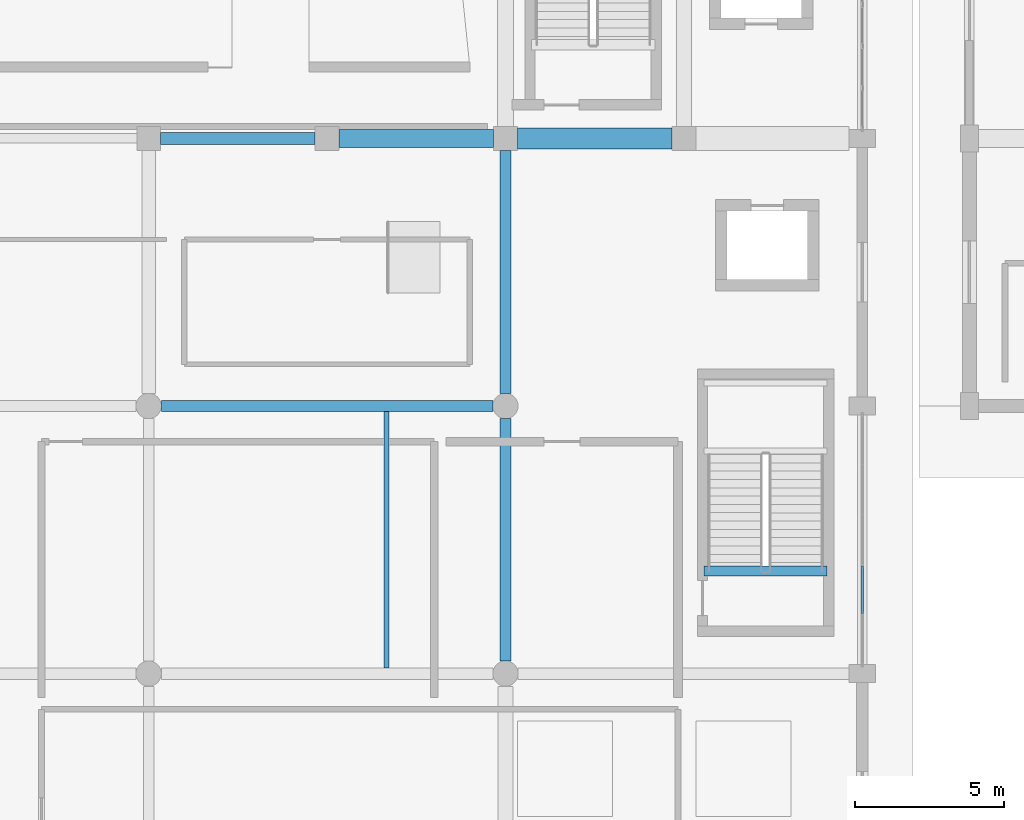
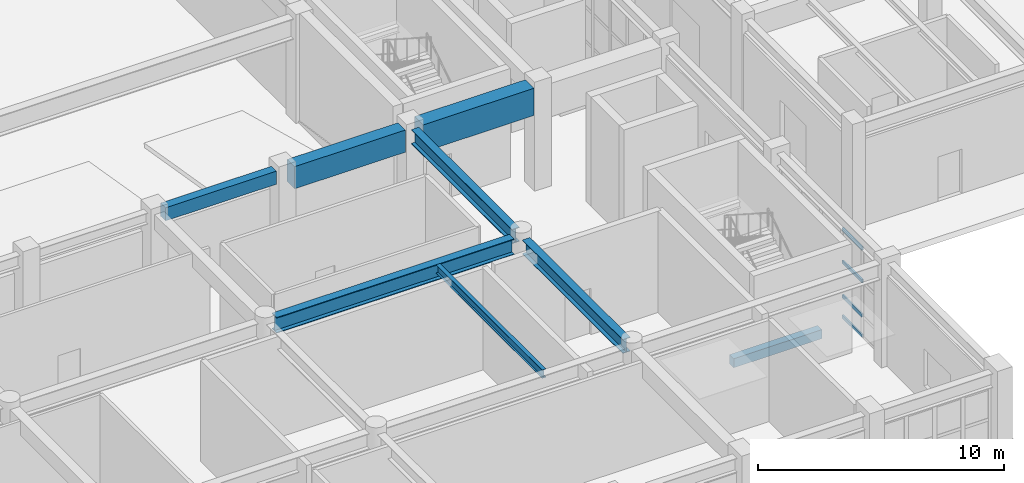
# One storey, part 21 of 91: 8 beams, 4 members, 1 element without a shape of its own.
"""IFC4 building model written with IfcOpenShell, lengths in metres."""

import ifcopenshell
import ifcopenshell.guid

model = None  # the IFC model being written
_history = None  # IfcOwnerHistory: only IFC2X3 demands one
_inside = {}  # id of a spatial element -> (the spatial element, [elements in it])
_under = {}  # id of a project, library or spatial element -> (it, [spatial elements below it])
_declared = {}  # id of a project -> (the project, [libraries it declares])
_typed = {}  # id of a type object -> (the type object, [elements of that type])
_made_of = {}  # id of a material, layer set ... -> (it, [elements and type objects made of it])


def new_model(schema):
    """Start an empty IFC model of exactly this schema.

    Asked for "IFC4X3", IfcOpenShell would pick the latest addendum, in which some entities
    have other attributes; the version numbers below select the first issue.
    IFC2X3 requires an IfcOwnerHistory on every rooted entity: one is made here for all.
    """
    global model, _history
    if schema == "IFC4X3":
        model = ifcopenshell.file(schema_version=(4, 3, 0, 0))
    else:
        model = ifcopenshell.file(schema=schema)
    _inside.clear()
    _under.clear()
    _declared.clear()
    _typed.clear()
    _made_of.clear()
    _history = None
    if model.schema == "IFC2X3":
        org = make("IfcOrganization", Name="unknown")
        user = make(
            "IfcPersonAndOrganization",
            ThePerson=make("IfcPerson", FamilyName="unknown"),
            TheOrganization=org,
        )
        app = make(
            "IfcApplication",
            ApplicationDeveloper=org,
            Version="unknown",
            ApplicationFullName="unknown",
            ApplicationIdentifier="unknown",
        )
        _history = make(
            "IfcOwnerHistory",
            OwningUser=user,
            OwningApplication=app,
            ChangeAction="ADDED",
            CreationDate=0,
        )
    return model


def make(cls, **values):
    """One entity of the class cls with the attributes given. An attribute that is None is left unset."""
    return model.create_entity(
        cls, **{name: value for name, value in values.items() if value is not None}
    )


def rooted(cls, **values):
    """An entity with a GlobalId (a new one), such as an element, a storey or a relation."""
    return make(cls, GlobalId=ifcopenshell.guid.new(), OwnerHistory=_history, **values)


def si_unit(unit_type, name, prefix=None):
    """IfcSIUnit, for example si_unit("LENGTHUNIT", "METRE", prefix="MILLI")."""
    return make("IfcSIUnit", UnitType=unit_type, Prefix=prefix, Name=name)


def assignment(units):
    """IfcUnitAssignment: the units of a project."""
    return None if units is None else make("IfcUnitAssignment", Units=units)


def point(xyz):
    """IfcCartesianPoint."""
    return None if xyz is None else make("IfcCartesianPoint", Coordinates=xyz)


def direction(xyz):
    """IfcDirection."""
    return None if xyz is None else make("IfcDirection", DirectionRatios=xyz)


def frame(location, z_axis=None, x_axis=None):
    """IfcAxis2Placement3D, a coordinate frame: its origin and axes. An axis left out is left unset."""
    return make(
        "IfcAxis2Placement3D",
        Location=point(location),
        Axis=direction(z_axis),
        RefDirection=direction(x_axis),
    )


def frame_2d(location, x_axis=None):
    """IfcAxis2Placement2D, a coordinate frame in the plane: its origin and x axis."""
    return make(
        "IfcAxis2Placement2D", Location=point(location), RefDirection=direction(x_axis)
    )


def origin():
    """The frame at (0, 0, 0) with its axes left unset."""
    return frame((0.0, 0.0, 0.0))


def origin_2d():
    """The frame at (0, 0) in the plane with its x axis left unset."""
    return frame_2d((0.0, 0.0))


def place(relative_to, where):
    """IfcLocalPlacement: puts the frame where relative to a parent placement (None: the world)."""
    return make(
        "IfcLocalPlacement", PlacementRelTo=relative_to, RelativePlacement=where
    )


def context(
    kind, dimensions, precision=None, world=None, true_north=None, identifier=None
):
    """IfcGeometricRepresentationContext, for example the 3D "Model" context."""
    return make(
        "IfcGeometricRepresentationContext",
        ContextIdentifier=identifier,
        ContextType=kind,
        CoordinateSpaceDimension=dimensions,
        Precision=precision,
        WorldCoordinateSystem=world,
        TrueNorth=true_north,
    )


def subcontext(parent, identifier, kind, view, scale=None):
    """IfcGeometricRepresentationSubContext, for example "Body" below "Model"."""
    return make(
        "IfcGeometricRepresentationSubContext",
        ContextIdentifier=identifier,
        ContextType=kind,
        ParentContext=parent,
        TargetScale=scale,
        TargetView=view,
    )


def project(units=None, contexts=None):
    """IfcProject with its units and contexts."""
    return rooted(
        "IfcProject",
        Name="project",
        RepresentationContexts=contexts,
        UnitsInContext=assignment(units),
    )


def spatial(cls, under=None, at=None, **own):
    """A site, building, storey or space (cls), placed at a placement, below another one or the project."""
    s = rooted(cls, ObjectPlacement=at, **own)
    if under is not None:
        _under.setdefault(under.id(), (under, []))[1].append(s)
    return s


def profile(cls, at=None, kind="AREA", **sizes):
    """A parametric profile (cls). Its sizes go by their IFC names, for example OverallWidth=200.0."""
    return make(cls, ProfileType=kind, Position=at, **sizes)


def rectangle(**sizes):
    """IfcRectangleProfileDef."""
    return profile("IfcRectangleProfileDef", **sizes)


def hollow_rectangle(**sizes):
    """IfcRectangleHollowProfileDef."""
    return profile("IfcRectangleHollowProfileDef", **sizes)


def i_section(**sizes):
    """IfcIShapeProfileDef."""
    return profile("IfcIShapeProfileDef", **sizes)


def extrude(swept, where, along, depth):
    """IfcExtrudedAreaSolid: the profile swept, set in the frame where, extruded along a direction by depth."""
    return make(
        "IfcExtrudedAreaSolid",
        SweptArea=swept,
        Position=where,
        ExtrudedDirection=direction(along),
        Depth=depth,
    )


def shape(context_of_items, identifier, shape_type, items):
    """IfcShapeRepresentation: the items that make up one representation, for example the "Body"."""
    return make(
        "IfcShapeRepresentation",
        ContextOfItems=context_of_items,
        RepresentationIdentifier=identifier,
        RepresentationType=shape_type,
        Items=items,
    )


def material(Name=None, Category=None):
    """IfcMaterial."""
    return make("IfcMaterial", Name=Name, Category=Category)


def layer(
    of_material, thickness, ventilated=None, Name=None, Category=None, Priority=None
):
    """IfcMaterialLayer: one layer of a wall or slab, of a material (None: an air gap)."""
    return make(
        "IfcMaterialLayer",
        Material=of_material,
        LayerThickness=thickness,
        IsVentilated=ventilated,
        Name=Name,
        Category=Category,
        Priority=Priority,
    )


def layer_set(layers, Name=None):
    """IfcMaterialLayerSet."""
    return make("IfcMaterialLayerSet", MaterialLayers=layers, LayerSetName=Name)


def material_profile(
    of_material, cross_section, Name=None, Category=None, Priority=None
):
    """IfcMaterialProfile: a cross section and its material."""
    return make(
        "IfcMaterialProfile",
        Name=Name,
        Material=of_material,
        Profile=cross_section,
        Priority=Priority,
        Category=Category,
    )


def profile_set(profiles, Name=None, composite=None):
    """IfcMaterialProfileSet."""
    return make(
        "IfcMaterialProfileSet",
        Name=Name,
        MaterialProfiles=profiles,
        CompositeProfile=composite,
    )


def made_of(thing, what):
    """Note that an element or type object is made of a material, layer set ...; save() writes the relation."""
    if what is not None:
        _made_of.setdefault(what.id(), (what, []))[1].append(thing)
    return thing


def type_object(cls, material=None, **own):
    """A type object (cls), such as IfcWallType, which elements share."""
    return made_of(rooted(cls, **own), material)


def element(
    cls,
    number,
    at=None,
    inside=None,
    cuts=None,
    type_object=None,
    material=None,
    context=None,
    identifier="Body",
    shape_type=None,
    held_by="IfcProductDefinitionShape",
    body=None,
    shapes=None,
    **own,
):
    """One element of the class cls, such as IfcWall. Its Tag is "e" and its number.

    at: its placement. inside: the storey or other place that contains it. cuts: it is an
    opening in that element (IfcRelVoidsElement). A single representation is given by context,
    identifier, shape_type and body (its items); several are given by shapes. held_by: the class
    of the entity that holds the representations. save() writes the other relations.
    """
    e = rooted(cls, Tag="e%d" % number, ObjectPlacement=at, **own)
    if body is not None:
        shapes = [shape(context, identifier, shape_type, body)]
    if shapes is not None:
        e.Representation = make(held_by, Representations=shapes)
    if inside is not None:
        _inside.setdefault(inside.id(), (inside, []))[1].append(e)
    if cuts is not None:
        rooted(
            "IfcRelVoidsElement", RelatingBuildingElement=cuts, RelatedOpeningElement=e
        )
    if type_object is not None:
        _typed.setdefault(type_object.id(), (type_object, []))[1].append(e)
    return made_of(e, material)


def aggregate(whole, parts):
    """IfcRelAggregates: a whole, such as a stair, and the parts it consists of."""
    return rooted("IfcRelAggregates", RelatingObject=whole, RelatedObjects=parts)


def save(model, path):
    """Write the relations noted so far, then the file.

    IfcRelAggregates (storeys below a building ...), IfcRelContainedInSpatialStructure (elements
    in a storey), IfcRelDefinesByType, IfcRelAssociatesMaterial and IfcRelDeclares: one each for
    every whole, place, type object, material and project.
    """
    for whole, parts in _under.values():
        aggregate(whole, parts)
    for where, things in _inside.values():
        rooted(
            "IfcRelContainedInSpatialStructure",
            RelatedElements=things,
            RelatingStructure=where,
        )
    for kind, things in _typed.values():
        rooted("IfcRelDefinesByType", RelatedObjects=things, RelatingType=kind)
    for what, things in _made_of.values():
        rooted("IfcRelAssociatesMaterial", RelatedObjects=things, RelatingMaterial=what)
    for by, libraries in _declared.values():
        rooted("IfcRelDeclares", RelatingContext=by, RelatedDefinitions=libraries)
    model.write(path)


model = new_model("IFC4")

# Units and contexts
model_context = context("Model", 3, precision=1e-05, world=origin(), true_north=direction((0.0, 1.0)))
body_context = subcontext(model_context, "Body", "Model", "MODEL_VIEW")
ifc_project = project(units=[si_unit("LENGTHUNIT", "METRE"), si_unit("AREAUNIT", "SQUARE_METRE"), si_unit("VOLUMEUNIT", "CUBIC_METRE"), si_unit("PLANEANGLEUNIT", "RADIAN"), si_unit("MASSUNIT", "GRAM", prefix="KILO")], contexts=[model_context])

# Site, building, storey
site_placement = place(None, origin())
site = spatial("IfcSite", under=ifc_project, at=site_placement, CompositionType="ELEMENT")
building_placement = place(site_placement, origin())
building = spatial("IfcBuilding", under=site, at=building_placement, Name="Vaelkrest Opera House", CompositionType="ELEMENT")
storey_placement = place(building_placement, origin())
storey = spatial("IfcBuildingStorey", under=building, at=storey_placement, Name="L00", CompositionType="ELEMENT", Elevation=0.0)

# Beams
ifc_material_1 = material(Name="Concrete C50/60", Category="concrete")
ifc_material_profile_1 = material_profile(ifc_material_1, rectangle(XDim=0.39990234375, YDim=0.64990234375, at=origin_2d()), Name="RCB400X650")
ifc_profile_set_1 = profile_set([ifc_material_profile_1], Name="Concrete C50/60")
beam_type_1 = type_object("IfcBeamType", Name="B01", PredefinedType="BEAM", material=ifc_profile_set_1)
beam_1_placement = place(storey_placement, frame((6.39990234375, -28.800048828125, 4.7548828125), z_axis=(1.0, 0.0, 0.0), x_axis=(0.0, 1.0, 0.0)))
element("IfcBeam", 1, at=beam_1_placement, inside=storey, type_object=beam_type_1, Name="Beam BM-V1-L00-0109", PredefinedType="BEAM", context=body_context, shape_type="SweptSolid", body=[
    extrude(rectangle(XDim=0.39990234375, YDim=0.64990234375, at=origin_2d()), origin(), (0.0, 0.0, 1.0), 5.2001953125),
])
ifc_material_profile_2 = material_profile(ifc_material_1, rectangle(XDim=0.60009765625, YDim=1.10009765625, at=origin_2d()), Name="RCB600X1100")
ifc_profile_set_2 = profile_set([ifc_material_profile_2], Name="Concrete C50/60")
beam_type_2 = type_object("IfcBeamType", Name="B05", PredefinedType="BEAM", material=ifc_profile_set_2)
beam_2_placement = place(storey_placement, frame((12.39990234375, -28.800048828125, 4.530029296875), z_axis=(1.0, 0.0, 0.0), x_axis=(0.0, 1.0, 0.0)))
element("IfcBeam", 2, at=beam_2_placement, inside=storey, type_object=beam_type_2, Name="Beam BM-V1-L00-0110", PredefinedType="BEAM", context=body_context, shape_type="SweptSolid", body=[
    extrude(rectangle(XDim=0.60009765625, YDim=1.10009765625, at=origin_2d()), origin(), (0.0, 0.0, 1.0), 5.2001953125),
])
ifc_material_profile_3 = material_profile(ifc_material_1, rectangle(XDim=0.699951171875, YDim=1.35009765625, at=origin_2d()), Name="RCB700X1350")
ifc_profile_set_3 = profile_set([ifc_material_profile_3], Name="Concrete C50/60")
beam_type_3 = type_object("IfcBeamType", Name="B06", PredefinedType="BEAM", material=ifc_profile_set_3)
beam_3_placement = place(storey_placement, frame((18.39990234375, -28.800048828125, 4.405029296875), z_axis=(1.0, 0.0, 0.0), x_axis=(0.0, 1.0, 0.0)))
element("IfcBeam", 3, at=beam_3_placement, inside=storey, type_object=beam_type_3, Name="Beam BM-V1-L00-0111", PredefinedType="BEAM", context=body_context, shape_type="SweptSolid", body=[
    extrude(rectangle(XDim=0.699951171875, YDim=1.35009765625, at=origin_2d()), origin(), (0.0, 0.0, 1.0), 5.2001953125),
])
ifc_material_2 = material(Name="Steel A992 Gr50", Category="steel")
ifc_material_profile_4 = material_profile(ifc_material_2, i_section(OverallWidth=0.35498046875, OverallDepth=0.695068359375, WebThickness=0.015380859375, FlangeThickness=0.02490234375, at=origin_2d()), Name="W27X146")
ifc_profile_set_4 = profile_set([ifc_material_profile_4], Name="Steel A992 Gr50")
beam_type_4 = type_object("IfcBeamType", Name="B10", PredefinedType="BEAM", material=ifc_profile_set_4)
beam_4_placement = place(storey_placement, frame((18.0, -46.375, 4.732421875), z_axis=(0.0, 1.0, 0.0), x_axis=(-1.0, 0.0, 0.0)))
element("IfcBeam", 4, at=beam_4_placement, inside=storey, type_object=beam_type_4, Name="Beam BM-V1-L00-0169", PredefinedType="BEAM", context=body_context, shape_type="SweptSolid", body=[
    extrude(i_section(OverallWidth=0.35498046875, OverallDepth=0.695068359375, WebThickness=0.015380859375, FlangeThickness=0.02490234375, at=origin_2d()), origin(), (0.0, 0.0, 1.0), 8.14990234375),
])
ifc_material_profile_5 = material_profile(ifc_material_2, i_section(OverallWidth=0.35791015625, OverallDepth=0.7060546875, WebThickness=0.018310546875, FlangeThickness=0.0302734375, at=origin_2d()), Name="W27X178")
ifc_profile_set_5 = profile_set([ifc_material_profile_5], Name="Steel A992 Gr50")
beam_type_5 = type_object("IfcBeamType", Name="B14", PredefinedType="BEAM", material=ifc_profile_set_5)
beam_5_placement = place(storey_placement, frame((18.0, -37.375, 4.72705078125), z_axis=(0.0, 1.0, 0.0), x_axis=(-1.0, 0.0, 0.0)))
element("IfcBeam", 5, at=beam_5_placement, inside=storey, type_object=beam_type_5, Name="Beam BM-V1-L00-0170", PredefinedType="BEAM", context=body_context, shape_type="SweptSolid", body=[
    extrude(i_section(OverallWidth=0.35791015625, OverallDepth=0.7060546875, WebThickness=0.018310546875, FlangeThickness=0.0302734375, at=origin_2d()), origin(), (0.0, 0.0, 1.0), 8.175048828125),
])
ifc_material_profile_6 = material_profile(ifc_material_2, i_section(OverallWidth=0.384033203125, OverallDepth=0.785888671875, WebThickness=0.019775390625, FlangeThickness=0.033447265625, at=origin_2d()), Name="W30X211")
ifc_profile_set_6 = profile_set([ifc_material_profile_6], Name="Steel A992 Gr50")
beam_type_6 = type_object("IfcBeamType", Name="B16", PredefinedType="BEAM", material=ifc_profile_set_6)
beam_6_placement = place(storey_placement, frame((6.425048828125, -37.800048828125, 4.68701171875), z_axis=(1.0, 0.0, 0.0), x_axis=(0.0, 1.0, 0.0)))
element("IfcBeam", 6, at=beam_6_placement, inside=storey, type_object=beam_type_6, Name="Beam BM-V1-L00-0102", PredefinedType="BEAM", context=body_context, shape_type="SweptSolid", body=[
    extrude(i_section(OverallWidth=0.384033203125, OverallDepth=0.785888671875, WebThickness=0.019775390625, FlangeThickness=0.033447265625, at=origin_2d()), origin(), (0.0, 0.0, 1.0), 11.14990234375),
])

# Curtain wall, members
ifc_material_3 = material(Name="Dark bronze anodized aluminium", Category="aluminium")
ifc_layer = layer(ifc_material_3, 0.199951171875)
ifc_layer_set = layer_set([ifc_layer], Name="Dark bronze anodized aluminium")
curtain_wall_type = type_object("IfcCurtainWallType", Name="CW03", PredefinedType="NOTDEFINED", material=ifc_layer_set)
curtain_wall_placement = place(storey_placement, origin())
curtain_wall = element("IfcCurtainWall", 7, at=curtain_wall_placement, inside=storey, type_object=curtain_wall_type, Name="Curtain wall CW-L00-019", PredefinedType="NOTDEFINED")
ifc_material_profile_7 = material_profile(ifc_material_3, hollow_rectangle(XDim=0.074951171875, YDim=0.159912109375, WallThickness=0.00439453125, at=origin_2d()), Name="CWT75X160")
ifc_profile_set_7 = profile_set([ifc_material_profile_7], Name="Dark bronze anodized aluminium")
member_type = type_object("IfcMemberType", Name="CWT03", PredefinedType="USERDEFINED", material=ifc_profile_set_7)
member_1_placement = place(storey_placement, frame((30.0, -43.177978515625, 0.03759765625), z_axis=(0.0, -1.0, 0.0), x_axis=(1.0, 0.0, 0.0)))
member_1 = element("IfcMember", 8, at=member_1_placement, type_object=member_type, Name="CW03 transom 4.1", ObjectType="TRANSOM", PredefinedType="USERDEFINED", context=body_context, shape_type="SweptSolid", body=[
    extrude(hollow_rectangle(XDim=0.074951171875, YDim=0.159912109375, WallThickness=0.00439453125, at=origin_2d()), origin(), (0.0, 0.0, 1.0), 1.605712890625),
])
member_2_placement = place(storey_placement, frame((30.0, -43.177978515625, 1.050048828125), z_axis=(0.0, -1.0, 0.0), x_axis=(1.0, 0.0, 0.0)))
member_2 = element("IfcMember", 9, at=member_2_placement, type_object=member_type, Name="CW03 transom 4.2", ObjectType="TRANSOM", PredefinedType="USERDEFINED", context=body_context, shape_type="SweptSolid", body=[
    extrude(hollow_rectangle(XDim=0.074951171875, YDim=0.159912109375, WallThickness=0.00439453125, at=origin_2d()), origin(), (0.0, 0.0, 1.0), 1.605712890625),
])
member_3_placement = place(storey_placement, frame((30.0, -43.177978515625, 2.75), z_axis=(0.0, -1.0, 0.0), x_axis=(1.0, 0.0, 0.0)))
member_3 = element("IfcMember", 10, at=member_3_placement, type_object=member_type, Name="CW03 transom 4.3", ObjectType="TRANSOM", PredefinedType="USERDEFINED", context=body_context, shape_type="SweptSolid", body=[
    extrude(hollow_rectangle(XDim=0.074951171875, YDim=0.159912109375, WallThickness=0.00439453125, at=origin_2d()), origin(), (0.0, 0.0, 1.0), 1.605712890625),
])
member_4_placement = place(storey_placement, frame((30.0, -43.177978515625, 4.366455078125), z_axis=(0.0, -1.0, 0.0), x_axis=(1.0, 0.0, 0.0)))
member_4 = element("IfcMember", 11, at=member_4_placement, type_object=member_type, Name="CW03 transom 4.4", ObjectType="TRANSOM", PredefinedType="USERDEFINED", context=body_context, shape_type="SweptSolid", body=[
    extrude(hollow_rectangle(XDim=0.074951171875, YDim=0.159912109375, WallThickness=0.00439453125, at=origin_2d()), origin(), (0.0, 0.0, 1.0), 1.605712890625),
])
aggregate(curtain_wall, [member_1, member_2, member_3, member_4])

# Beams
ifc_material_profile_8 = material_profile(ifc_material_2, i_section(OverallWidth=0.180908203125, OverallDepth=0.4169921875, WebThickness=0.010986328125, FlangeThickness=0.018310546875, at=origin_2d()), Name="W16X57")
ifc_profile_set_8 = profile_set([ifc_material_profile_8], Name="Steel A992 Gr50")
beam_type_7 = type_object("IfcBeamType", Name="J07", PredefinedType="JOIST", material=ifc_profile_set_8)
beam_7_placement = place(storey_placement, frame((14.0, -46.60791015625, 4.87158203125), z_axis=(0.0, 1.0, 0.0), x_axis=(-1.0, 0.0, 0.0)))
element("IfcBeam", 12, at=beam_7_placement, inside=storey, type_object=beam_type_7, Name="Floor joist JST-V1-L00-0197", PredefinedType="JOIST", context=body_context, shape_type="SweptSolid", body=[
    extrude(i_section(OverallWidth=0.180908203125, OverallDepth=0.4169921875, WebThickness=0.010986328125, FlangeThickness=0.018310546875, at=origin_2d()), origin(), (0.0, 0.0, 1.0), 8.615966796875),
])
ifc_material_profile_9 = material_profile(ifc_material_1, rectangle(XDim=0.35009765625, YDim=0.449951171875, at=origin_2d()), Name="RCB350X450")
ifc_profile_set_9 = profile_set([ifc_material_profile_9], Name="Concrete C50/60")
beam_type_8 = type_object("IfcBeamType", Name="LN01", PredefinedType="LINTEL", material=ifc_profile_set_9)
beam_8_placement = place(storey_placement, frame((24.679931640625, -43.35009765625, -0.22509765625), z_axis=(1.0, 0.0, 0.0), x_axis=(0.0, 1.0, 0.0)))
element("IfcBeam", 13, at=beam_8_placement, inside=storey, type_object=beam_type_8, Name="Stairwell trimmer beam ST04 L00", PredefinedType="LINTEL", context=body_context, shape_type="SweptSolid", body=[
    extrude(rectangle(XDim=0.35009765625, YDim=0.449951171875, at=origin_2d()), origin(), (0.0, 0.0, 1.0), 4.14013671875),
])

save(model, "model.ifc")
